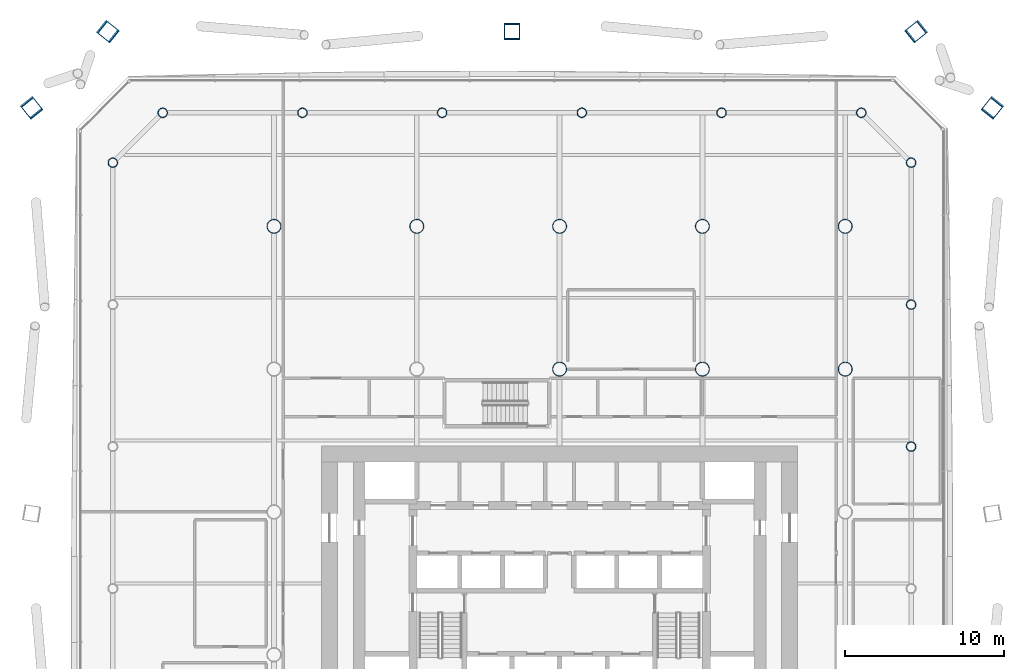
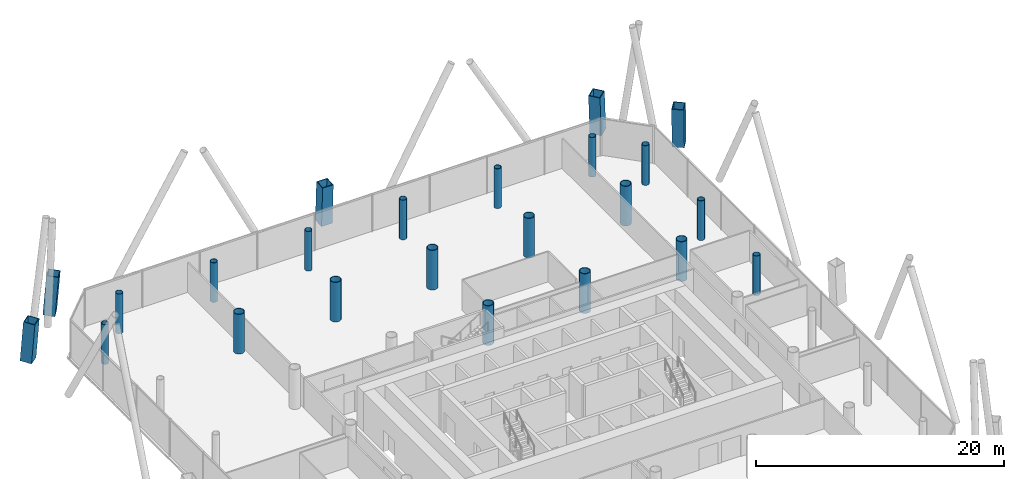
# One storey, part 2 of 25: 23 columns.
"""IFC4 building model written with IfcOpenShell, lengths in metres."""

import ifcopenshell
import ifcopenshell.guid

model = None  # the IFC model being written
_history = None  # IfcOwnerHistory: only IFC2X3 demands one
_inside = {}  # id of a spatial element -> (the spatial element, [elements in it])
_under = {}  # id of a project, library or spatial element -> (it, [spatial elements below it])
_declared = {}  # id of a project -> (the project, [libraries it declares])
_typed = {}  # id of a type object -> (the type object, [elements of that type])
_made_of = {}  # id of a material, layer set ... -> (it, [elements and type objects made of it])


def new_model(schema):
    """Start an empty IFC model of exactly this schema.

    Asked for "IFC4X3", IfcOpenShell would pick the latest addendum, in which some entities
    have other attributes; the version numbers below select the first issue.
    IFC2X3 requires an IfcOwnerHistory on every rooted entity: one is made here for all.
    """
    global model, _history
    if schema == "IFC4X3":
        model = ifcopenshell.file(schema_version=(4, 3, 0, 0))
    else:
        model = ifcopenshell.file(schema=schema)
    _inside.clear()
    _under.clear()
    _declared.clear()
    _typed.clear()
    _made_of.clear()
    _history = None
    if model.schema == "IFC2X3":
        org = make("IfcOrganization", Name="unknown")
        user = make(
            "IfcPersonAndOrganization",
            ThePerson=make("IfcPerson", FamilyName="unknown"),
            TheOrganization=org,
        )
        app = make(
            "IfcApplication",
            ApplicationDeveloper=org,
            Version="unknown",
            ApplicationFullName="unknown",
            ApplicationIdentifier="unknown",
        )
        _history = make(
            "IfcOwnerHistory",
            OwningUser=user,
            OwningApplication=app,
            ChangeAction="ADDED",
            CreationDate=0,
        )
    return model


def make(cls, **values):
    """One entity of the class cls with the attributes given. An attribute that is None is left unset."""
    return model.create_entity(
        cls, **{name: value for name, value in values.items() if value is not None}
    )


def rooted(cls, **values):
    """An entity with a GlobalId (a new one), such as an element, a storey or a relation."""
    return make(cls, GlobalId=ifcopenshell.guid.new(), OwnerHistory=_history, **values)


def si_unit(unit_type, name, prefix=None):
    """IfcSIUnit, for example si_unit("LENGTHUNIT", "METRE", prefix="MILLI")."""
    return make("IfcSIUnit", UnitType=unit_type, Prefix=prefix, Name=name)


def assignment(units):
    """IfcUnitAssignment: the units of a project."""
    return None if units is None else make("IfcUnitAssignment", Units=units)


def point(xyz):
    """IfcCartesianPoint."""
    return None if xyz is None else make("IfcCartesianPoint", Coordinates=xyz)


def direction(xyz):
    """IfcDirection."""
    return None if xyz is None else make("IfcDirection", DirectionRatios=xyz)


def frame(location, z_axis=None, x_axis=None):
    """IfcAxis2Placement3D, a coordinate frame: its origin and axes. An axis left out is left unset."""
    return make(
        "IfcAxis2Placement3D",
        Location=point(location),
        Axis=direction(z_axis),
        RefDirection=direction(x_axis),
    )


def frame_2d(location, x_axis=None):
    """IfcAxis2Placement2D, a coordinate frame in the plane: its origin and x axis."""
    return make(
        "IfcAxis2Placement2D", Location=point(location), RefDirection=direction(x_axis)
    )


def origin():
    """The frame at (0, 0, 0) with its axes left unset."""
    return frame((0.0, 0.0, 0.0))


def origin_2d():
    """The frame at (0, 0) in the plane with its x axis left unset."""
    return frame_2d((0.0, 0.0))


def place(relative_to, where):
    """IfcLocalPlacement: puts the frame where relative to a parent placement (None: the world)."""
    return make(
        "IfcLocalPlacement", PlacementRelTo=relative_to, RelativePlacement=where
    )


def context(
    kind, dimensions, precision=None, world=None, true_north=None, identifier=None
):
    """IfcGeometricRepresentationContext, for example the 3D "Model" context."""
    return make(
        "IfcGeometricRepresentationContext",
        ContextIdentifier=identifier,
        ContextType=kind,
        CoordinateSpaceDimension=dimensions,
        Precision=precision,
        WorldCoordinateSystem=world,
        TrueNorth=true_north,
    )


def subcontext(parent, identifier, kind, view, scale=None):
    """IfcGeometricRepresentationSubContext, for example "Body" below "Model"."""
    return make(
        "IfcGeometricRepresentationSubContext",
        ContextIdentifier=identifier,
        ContextType=kind,
        ParentContext=parent,
        TargetScale=scale,
        TargetView=view,
    )


def project(units=None, contexts=None):
    """IfcProject with its units and contexts."""
    return rooted(
        "IfcProject",
        Name="project",
        RepresentationContexts=contexts,
        UnitsInContext=assignment(units),
    )


def spatial(cls, under=None, at=None, **own):
    """A site, building, storey or space (cls), placed at a placement, below another one or the project."""
    s = rooted(cls, ObjectPlacement=at, **own)
    if under is not None:
        _under.setdefault(under.id(), (under, []))[1].append(s)
    return s


def profile(cls, at=None, kind="AREA", **sizes):
    """A parametric profile (cls). Its sizes go by their IFC names, for example OverallWidth=200.0."""
    return make(cls, ProfileType=kind, Position=at, **sizes)


def hollow_rectangle(**sizes):
    """IfcRectangleHollowProfileDef."""
    return profile("IfcRectangleHollowProfileDef", **sizes)


def hollow_circle(**sizes):
    """IfcCircleHollowProfileDef."""
    return profile("IfcCircleHollowProfileDef", **sizes)


def extrude(swept, where, along, depth):
    """IfcExtrudedAreaSolid: the profile swept, set in the frame where, extruded along a direction by depth."""
    return make(
        "IfcExtrudedAreaSolid",
        SweptArea=swept,
        Position=where,
        ExtrudedDirection=direction(along),
        Depth=depth,
    )


def shape(context_of_items, identifier, shape_type, items):
    """IfcShapeRepresentation: the items that make up one representation, for example the "Body"."""
    return make(
        "IfcShapeRepresentation",
        ContextOfItems=context_of_items,
        RepresentationIdentifier=identifier,
        RepresentationType=shape_type,
        Items=items,
    )


def material(Name=None, Category=None):
    """IfcMaterial."""
    return make("IfcMaterial", Name=Name, Category=Category)


def material_profile(
    of_material, cross_section, Name=None, Category=None, Priority=None
):
    """IfcMaterialProfile: a cross section and its material."""
    return make(
        "IfcMaterialProfile",
        Name=Name,
        Material=of_material,
        Profile=cross_section,
        Priority=Priority,
        Category=Category,
    )


def profile_set(profiles, Name=None, composite=None):
    """IfcMaterialProfileSet."""
    return make(
        "IfcMaterialProfileSet",
        Name=Name,
        MaterialProfiles=profiles,
        CompositeProfile=composite,
    )


def made_of(thing, what):
    """Note that an element or type object is made of a material, layer set ...; save() writes the relation."""
    if what is not None:
        _made_of.setdefault(what.id(), (what, []))[1].append(thing)
    return thing


def type_object(cls, material=None, **own):
    """A type object (cls), such as IfcWallType, which elements share."""
    return made_of(rooted(cls, **own), material)


def element(
    cls,
    number,
    at=None,
    inside=None,
    cuts=None,
    type_object=None,
    material=None,
    context=None,
    identifier="Body",
    shape_type=None,
    held_by="IfcProductDefinitionShape",
    body=None,
    shapes=None,
    **own,
):
    """One element of the class cls, such as IfcWall. Its Tag is "e" and its number.

    at: its placement. inside: the storey or other place that contains it. cuts: it is an
    opening in that element (IfcRelVoidsElement). A single representation is given by context,
    identifier, shape_type and body (its items); several are given by shapes. held_by: the class
    of the entity that holds the representations. save() writes the other relations.
    """
    e = rooted(cls, Tag="e%d" % number, ObjectPlacement=at, **own)
    if body is not None:
        shapes = [shape(context, identifier, shape_type, body)]
    if shapes is not None:
        e.Representation = make(held_by, Representations=shapes)
    if inside is not None:
        _inside.setdefault(inside.id(), (inside, []))[1].append(e)
    if cuts is not None:
        rooted(
            "IfcRelVoidsElement", RelatingBuildingElement=cuts, RelatedOpeningElement=e
        )
    if type_object is not None:
        _typed.setdefault(type_object.id(), (type_object, []))[1].append(e)
    return made_of(e, material)


def aggregate(whole, parts):
    """IfcRelAggregates: a whole, such as a stair, and the parts it consists of."""
    return rooted("IfcRelAggregates", RelatingObject=whole, RelatedObjects=parts)


def save(model, path):
    """Write the relations noted so far, then the file.

    IfcRelAggregates (storeys below a building ...), IfcRelContainedInSpatialStructure (elements
    in a storey), IfcRelDefinesByType, IfcRelAssociatesMaterial and IfcRelDeclares: one each for
    every whole, place, type object, material and project.
    """
    for whole, parts in _under.values():
        aggregate(whole, parts)
    for where, things in _inside.values():
        rooted(
            "IfcRelContainedInSpatialStructure",
            RelatedElements=things,
            RelatingStructure=where,
        )
    for kind, things in _typed.values():
        rooted("IfcRelDefinesByType", RelatedObjects=things, RelatingType=kind)
    for what, things in _made_of.values():
        rooted("IfcRelAssociatesMaterial", RelatedObjects=things, RelatingMaterial=what)
    for by, libraries in _declared.values():
        rooted("IfcRelDeclares", RelatingContext=by, RelatedDefinitions=libraries)
    model.write(path)


model = new_model("IFC4")

# Units and contexts
model_context = context("Model", 3, precision=1e-05, world=origin(), true_north=direction((0.0, 1.0)))
body_context = subcontext(model_context, "Body", "Model", "MODEL_VIEW")
ifc_project = project(units=[si_unit("LENGTHUNIT", "METRE"), si_unit("AREAUNIT", "SQUARE_METRE"), si_unit("VOLUMEUNIT", "CUBIC_METRE"), si_unit("PLANEANGLEUNIT", "RADIAN"), si_unit("MASSUNIT", "GRAM", prefix="KILO")], contexts=[model_context])

# Site, building, storey
site_placement = place(None, origin())
site = spatial("IfcSite", under=ifc_project, at=site_placement, CompositionType="ELEMENT")
building_placement = place(site_placement, origin())
building = spatial("IfcBuilding", under=site, at=building_placement, Name="Tskaro Facet Tower", CompositionType="ELEMENT")
storey_placement = place(building_placement, frame((0.0, 0.0, 22.5)))
storey = spatial("IfcBuildingStorey", under=building, at=storey_placement, Name="L04", CompositionType="ELEMENT", Elevation=22.5)

# Columns
ifc_material_1 = material(Name="Steel S460M", Category="steel")
ifc_material_profile_1 = material_profile(ifc_material_1, hollow_rectangle(XDim=1.0, YDim=1.0, WallThickness=0.06005859375, at=origin_2d()), Name="BOX 1000x1000x60")
ifc_profile_set_1 = profile_set([ifc_material_profile_1], Name="Steel S460M")
column_type_1 = type_object("IfcColumnType", Name="BOX 1000x1000x60 mega column", PredefinedType="COLUMN", material=ifc_profile_set_1)
for number, where, z_axis, x_axis, name in (
    (1, (27.302001953125, 25.501953125, 0.0), (-0.046509063352, -0.058058293849, 0.997229232194), (0.780459274208, -0.625206622887, 0.0), "BOX 1000x1000x60 MC06/1"),
    (2, (22.501953125, 30.302001953125, 0.0), (-0.058058293849, -0.046509063352, 0.997229232194), (0.625206622887, -0.780459274208, 0.0), "BOX 1000x1000x60 MC07/1"),
):
    element("IfcColumn", number, at=place(storey_placement, frame(where, z_axis=z_axis, x_axis=x_axis)), inside=storey, type_object=column_type_1, Name=name, PredefinedType="COLUMN", context=body_context, shape_type="SweptSolid", body=[
        extrude(hollow_rectangle(XDim=1.0, YDim=1.0, WallThickness=0.06005859375, at=origin_2d()), origin(), (0.0, 0.0, 1.0), 3.91064453125),
    ])
column_placement = place(storey_placement, frame((-3.0, 30.302001953125, 0.0), z_axis=(0.0, -0.046587647648, 0.998914206069), x_axis=(1.0, 0.0, 0.0)))
element("IfcColumn", 3, at=column_placement, inside=storey, type_object=column_type_1, Name="BOX 1000x1000x60 MC08/1", PredefinedType="COLUMN", context=body_context, shape_type="SweptSolid", body=[
    extrude(hollow_rectangle(XDim=1.0, YDim=1.0, WallThickness=0.06005859375, at=origin_2d()), origin(), (0.0, 0.0, 1.0), 3.904052734375),
])
for number, where, z_axis, x_axis, name in (
    (4, (-28.501953125, 30.302001953125, 0.0), (0.058058293849, -0.046509063352, 0.997229232194), (0.625206622887, 0.780459274208, 0.0), "BOX 1000x1000x60 MC09/1"),
    (5, (-33.302001953125, 25.501953125, 0.0), (0.046509063352, -0.058058293849, 0.997229232194), (0.780459274208, 0.625206622887, 0.0), "BOX 1000x1000x60 MC10/1"),
):
    element("IfcColumn", number, at=place(storey_placement, frame(where, z_axis=z_axis, x_axis=x_axis)), inside=storey, type_object=column_type_1, Name=name, PredefinedType="COLUMN", context=body_context, shape_type="SweptSolid", body=[
        extrude(hollow_rectangle(XDim=1.0, YDim=1.0, WallThickness=0.06005859375, at=origin_2d()), origin(), (0.0, 0.0, 1.0), 3.91064453125),
    ])
ifc_material_2 = material(Name="Steel S355J2H", Category="steel")
ifc_material_profile_2 = material_profile(ifc_material_2, hollow_circle(Radius=0.304931640625, WallThickness=0.030029296875, at=origin_2d()), Name="CHS 610x30")
ifc_profile_set_2 = profile_set([ifc_material_profile_2], Name="Steel S355J2H")
column_type_2 = type_object("IfcColumnType", Name="CHS 610x30 ring column", PredefinedType="COLUMN", material=ifc_profile_set_2)
for number, where, z_axis, x_axis, name in (
    (6, (22.156982421875, 4.115966796875, 0.0), (0.0, 0.0, 1.0), (1.0, 0.0, 0.0), "CHS 610x30 RE-4/1"),
    (7, (22.156982421875, 13.06396484375, 0.0), (0.0, 0.0, 1.0), (1.0, 0.0, 0.0), "CHS 610x30 RE-5/1"),
    (8, (22.156982421875, 22.011962890625, 0.0), (0.0, 0.0, 1.0), (1.0, 0.0, 0.0), "CHS 610x30 RNE-1/1"),
    (9, (19.011962890625, 25.156982421875, 0.0), (0.0, 0.0, 1.0), (1.0, 0.0, 0.0), "CHS 610x30 RN-1/1"),
    (10, (10.20703125, 25.156982421875, 0.0), (0.0, 0.0, 1.0), (1.0, 0.0, 0.0), "CHS 610x30 RN-2/1"),
    (11, (1.402099609375, 25.156982421875, 0.0), (0.0, 0.0, 1.0), (1.0, 0.0, 0.0), "CHS 610x30 RN-3/1"),
    (12, (-7.402099609375, 25.156982421875, 0.0), (0.0, 0.0, 1.0), (1.0, 0.0, 0.0), "CHS 610x30 RN-4/1"),
    (13, (-16.20703125, 25.156982421875, 0.0), (0.0, 0.0, 1.0), (1.0, 0.0, 0.0), "CHS 610x30 RN-5/1"),
    (14, (-25.011962890625, 25.156982421875, 0.0), (0.0, 0.0, 1.0), (1.0, 0.0, 0.0), "CHS 610x30 RNW-1/1"),
    (15, (-28.156982421875, 22.011962890625, 0.0), (0.0, 0.0, 1.0), (1.0, 0.0, 0.0), "CHS 610x30 RW-1/1"),
):
    element("IfcColumn", number, at=place(storey_placement, frame(where, z_axis=z_axis, x_axis=x_axis)), inside=storey, type_object=column_type_2, Name=name, PredefinedType="COLUMN", context=body_context, shape_type="SweptSolid", body=[
        extrude(hollow_circle(Radius=0.304931640625, WallThickness=0.030029296875, at=origin_2d()), origin(), (0.0, 0.0, 1.0), 3.89990234375),
    ])
ifc_material_profile_3 = material_profile(ifc_material_2, hollow_circle(Radius=0.457275390625, WallThickness=0.050048828125, at=origin_2d()), Name="CHS 914.4x50")
ifc_profile_set_3 = profile_set([ifc_material_profile_3], Name="Steel S355J2H")
column_type_3 = type_object("IfcColumnType", Name="CHS 914.4x50 interior column", PredefinedType="COLUMN", material=ifc_profile_set_3)
for number, where, z_axis, x_axis, name in (
    (16, (-18.0, 18.0, 0.0), (0.0, 0.0, 1.0), (1.0, 0.0, 0.0), "CHS 914.4x50 C2F/1"),
    (17, (-9.0, 18.0, 0.0), (0.0, 0.0, 1.0), (1.0, 0.0, 0.0), "CHS 914.4x50 C3F/1"),
    (18, (0.0, 9.0, 0.0), (0.0, 0.0, 1.0), (1.0, 0.0, 0.0), "CHS 914.4x50 C4E/1"),
    (19, (0.0, 18.0, 0.0), (0.0, 0.0, 1.0), (1.0, 0.0, 0.0), "CHS 914.4x50 C4F/1"),
    (20, (9.0, 9.0, 0.0), (0.0, 0.0, 1.0), (1.0, 0.0, 0.0), "CHS 914.4x50 C5E/1"),
    (21, (9.0, 18.0, 0.0), (0.0, 0.0, 1.0), (1.0, 0.0, 0.0), "CHS 914.4x50 C5F/1"),
    (22, (18.0, 9.0, 0.0), (0.0, 0.0, 1.0), (1.0, 0.0, 0.0), "CHS 914.4x50 C6E/1"),
    (23, (18.0, 18.0, 0.0), (0.0, 0.0, 1.0), (1.0, 0.0, 0.0), "CHS 914.4x50 C6F/1"),
):
    element("IfcColumn", number, at=place(storey_placement, frame(where, z_axis=z_axis, x_axis=x_axis)), inside=storey, type_object=column_type_3, Name=name, PredefinedType="COLUMN", context=body_context, shape_type="SweptSolid", body=[
        extrude(hollow_circle(Radius=0.457275390625, WallThickness=0.050048828125, at=origin_2d()), origin(), (0.0, 0.0, 1.0), 3.89990234375),
    ])

save(model, "model.ifc")
